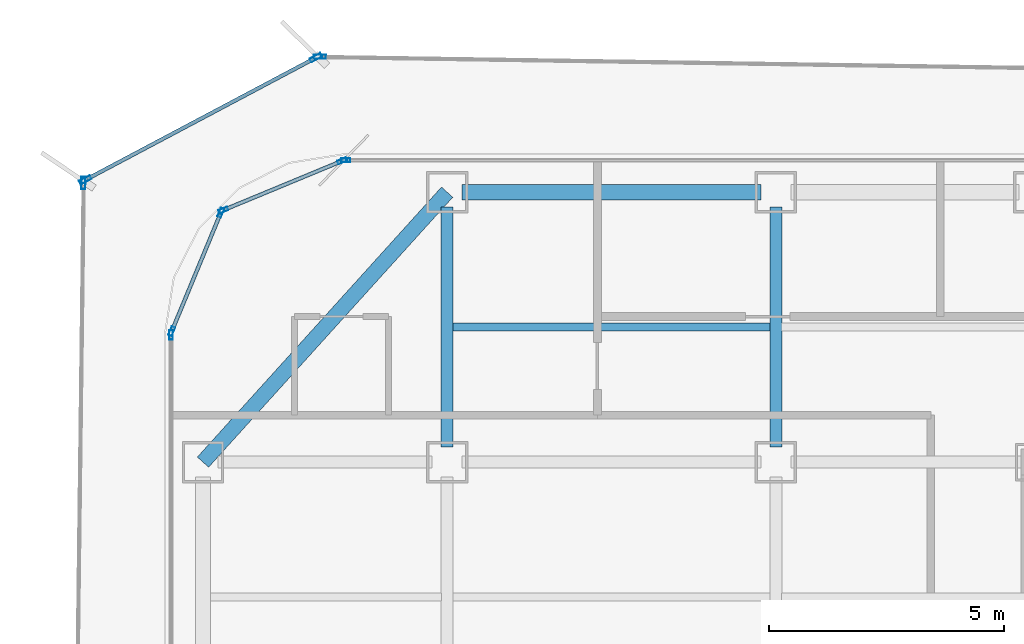
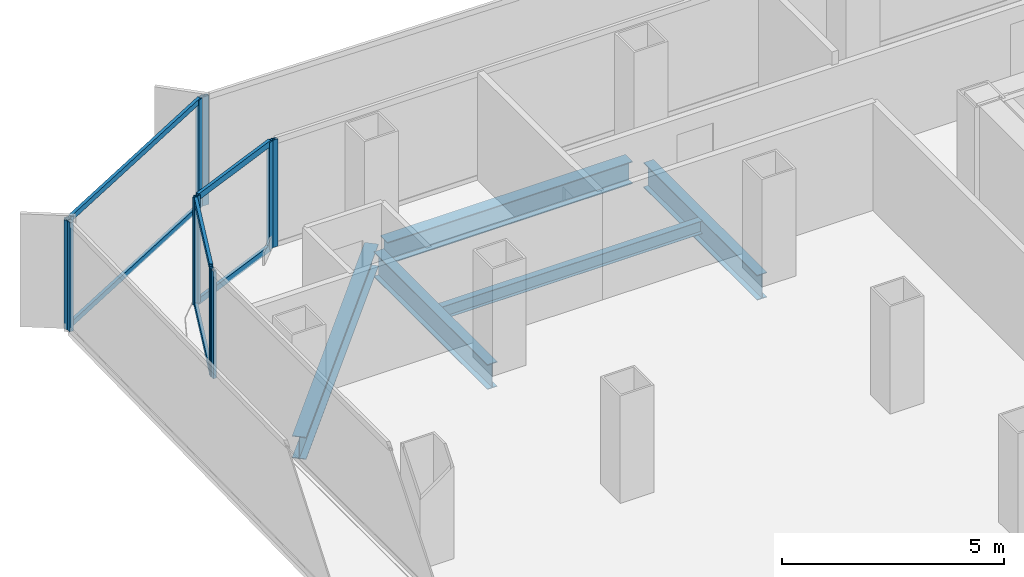
# One storey, part 10 of 21: 16 members, 5 beams, 7 elements without a shape of their own.
"""IFC4 building model written with IfcOpenShell, lengths in metres."""

from ifc_helpers import new_model, si_unit, direction, frame, origin, origin_2d, place, context, subcontext, project, spatial, hollow_rectangle, i_section, extrude, source, transform, mapped, material, layer, layer_set, material_profile, profile_set, type_object, element, aggregate, save


model = new_model("IFC4")

# Units and contexts
model_context = context("Model", 3, precision=1e-05, world=origin(), true_north=direction((0.0, 1.0)))
body_context = subcontext(model_context, "Body", "Model", "MODEL_VIEW")
ifc_project = project(units=[si_unit("LENGTHUNIT", "METRE"), si_unit("AREAUNIT", "SQUARE_METRE"), si_unit("VOLUMEUNIT", "CUBIC_METRE"), si_unit("PLANEANGLEUNIT", "RADIAN"), si_unit("MASSUNIT", "GRAM", prefix="KILO")], contexts=[model_context])

# Site, building, storey
site_placement = place(None, origin())
site = spatial("IfcSite", under=ifc_project, at=site_placement, CompositionType="ELEMENT")
building_placement = place(site_placement, origin())
building = spatial("IfcBuilding", under=site, at=building_placement, Name="Kolveth Station Tower", CompositionType="ELEMENT")
storey_placement = place(building_placement, frame((0.0, 0.0, 99.10009765625)))
storey = spatial("IfcBuildingStorey", under=building, at=storey_placement, Name="L26", CompositionType="ELEMENT", Elevation=99.10009765625)

# Beams
ifc_material_1 = material(Name="Steel S355", Category="steel")
ifc_material_profile_1 = material_profile(ifc_material_1, i_section(OverallWidth=0.323974609375, OverallDepth=0.611083984375, WebThickness=0.0126953125, FlangeThickness=0.01904296875, at=origin_2d()), Name="W610x155")
ifc_profile_set_1 = profile_set([ifc_material_profile_1], Name="Steel S355")
beam_type_1 = type_object("IfcBeamType", Name="Beam_SP2", PredefinedType="SPANDREL", material=ifc_profile_set_1)
shared_shape_1 = source(origin(), body_context, "Body", "SweptSolid", [
    extrude(i_section(OverallWidth=0.323974609375, OverallDepth=0.611083984375, WebThickness=0.0126953125, FlangeThickness=0.01904296875, at=origin_2d()), origin(), (0.0, 0.0, 1.0), 6.35986328125),
])
beam_1_placement = place(storey_placement, frame((6.320068359375, 34.5, -0.5556640625), z_axis=(1.0, 0.0, 0.0), x_axis=(0.0, 1.0, 0.0)))
element("IfcBeam", 1, at=beam_1_placement, inside=storey, type_object=beam_type_1, Name="L26 Perimeter Spandrel BM-L26-PN-1", PredefinedType="SPANDREL", context=body_context, shape_type="MappedRepresentation", body=[
    mapped(shared_shape_1, transform((0.0, 0.0, 0.0), x_axis=(1.0, 0.0, 0.0), y_axis=(0.0, 1.0, 0.0), z_axis=(0.0, 0.0, 1.0), scale=1.0)),
])
shared_shape_2 = source(origin(), body_context, "Body", "SweptSolid", [
    extrude(i_section(OverallWidth=0.323974609375, OverallDepth=0.611083984375, WebThickness=0.0126953125, FlangeThickness=0.01904296875, at=origin_2d()), origin(), (0.0, 0.0, 1.0), 7.75244140625),
])
beam_2_placement = place(storey_placement, frame((6.0, 34.5, -0.5556640625), z_axis=(-0.670740965555, -0.74169168603, 0.0), x_axis=(0.74169168603, -0.670740965555, 0.0)))
element("IfcBeam", 2, at=beam_2_placement, inside=storey, type_object=beam_type_1, Name="L26 Corner Edge Girder BM-L26-CNR-NW", PredefinedType="SPANDREL", context=body_context, shape_type="MappedRepresentation", body=[
    mapped(shared_shape_2, transform((0.0, 0.0, 0.0), x_axis=(1.0, 0.0, 0.0), y_axis=(0.0, 1.0, 0.0), z_axis=(0.0, 0.0, 1.0), scale=1.0)),
])
ifc_material_profile_2 = material_profile(ifc_material_1, i_section(OverallWidth=0.25390625, OverallDepth=0.68798828125, WebThickness=0.01318359375, FlangeThickness=0.02099609375, at=origin_2d()), Name="W690x152")
ifc_profile_set_2 = profile_set([ifc_material_profile_2], Name="Steel S355")
beam_type_2 = type_object("IfcBeamType", Name="Beam_B4", PredefinedType="BEAM", material=ifc_profile_set_2)
shared_shape_3 = source(origin(), body_context, "Body", "SweptSolid", [
    extrude(i_section(OverallWidth=0.25390625, OverallDepth=0.68798828125, WebThickness=0.01318359375, FlangeThickness=0.02099609375, at=origin_2d()), origin(), (0.0, 0.0, 1.0), 5.10986328125),
])
for number, where, z_axis, x_axis, name in (
    (3, (6.0, 29.070068359375, -0.593994140625), (0.0, 1.0, 0.0), (-1.0, 0.0, 0.0), "L26 Primary Girder BM-L26-GX60-6"),
    (4, (13.0, 29.070068359375, -0.593994140625), (0.0, 1.0, 0.0), (-1.0, 0.0, 0.0), "L26 Primary Girder BM-L26-GX130-6"),
):
    element("IfcBeam", number, at=place(storey_placement, frame(where, z_axis=z_axis, x_axis=x_axis)), inside=storey, type_object=beam_type_2, Name=name, PredefinedType="BEAM", context=body_context, shape_type="MappedRepresentation", body=[
        mapped(shared_shape_3, transform((0.0, 0.0, 0.0), x_axis=(1.0, 0.0, 0.0), y_axis=(0.0, 1.0, 0.0), z_axis=(0.0, 0.0, 1.0), scale=1.0)),
    ])
ifc_material_profile_3 = material_profile(ifc_material_1, i_section(OverallWidth=0.1708984375, OverallDepth=0.35205078125, WebThickness=0.0068359375, FlangeThickness=0.009765625, at=origin_2d()), Name="W360x44")
ifc_profile_set_3 = profile_set([ifc_material_profile_3], Name="Steel S355")
beam_type_3 = type_object("IfcBeamType", Name="Beam_J2", PredefinedType="JOIST", material=ifc_profile_set_3)
shared_shape_4 = source(origin(), body_context, "Body", "SweptSolid", [
    extrude(i_section(OverallWidth=0.1708984375, OverallDepth=0.35205078125, WebThickness=0.0068359375, FlangeThickness=0.009765625, at=origin_2d()), origin(), (0.0, 0.0, 1.0), 6.75),
])
beam_3_placement = place(storey_placement, frame((6.125, 31.625, -0.426025390625), z_axis=(1.0, 0.0, 0.0), x_axis=(0.0, 1.0, 0.0)))
element("IfcBeam", 5, at=beam_3_placement, inside=storey, type_object=beam_type_3, Name="L26 Secondary Joist JST-L26-2-6", PredefinedType="JOIST", context=body_context, shape_type="MappedRepresentation", body=[
    mapped(shared_shape_4, transform((0.0, 0.0, 0.0), x_axis=(1.0, 0.0, 0.0), y_axis=(0.0, 1.0, 0.0), z_axis=(0.0, 0.0, 1.0), scale=1.0)),
])

# Curtain wall, member
ifc_material_2 = material(Name="Aluminium 6063-T6 and low-E dark glass", Category="aluminium")
ifc_layer_1 = layer(ifc_material_2, 0.18994140625)
ifc_layer_set_1 = layer_set([ifc_layer_1], Name="Aluminium 6063-T6 and low-E dark glass")
curtain_wall_type_1 = type_object("IfcCurtainWallType", Name="CurtainWall_CW-Z2", PredefinedType="NOTDEFINED", material=ifc_layer_set_1)
curtain_wall_1_placement = place(storey_placement, origin())
curtain_wall_1 = element("IfcCurtainWall", 6, at=curtain_wall_1_placement, inside=storey, type_object=curtain_wall_type_1, Name="L26 Inner Thermal Curtain Wall 6", PredefinedType="NOTDEFINED")
ifc_material_3 = material(Name="Black anodized aluminium 6063-T6", Category="aluminium")
ifc_material_profile_4 = material_profile(ifc_material_3, hollow_rectangle(XDim=0.080078125, YDim=0.199951171875, WallThickness=0.0048828125, at=origin_2d()), Name="ALU-80x200x5")
ifc_profile_set_4 = profile_set([ifc_material_profile_4], Name="Black anodized aluminium 6063-T6")
member_type_1 = type_object("IfcMemberType", Name="Mullion_ML2", PredefinedType="MULLION", material=ifc_profile_set_4)
shared_shape_5 = source(origin(), body_context, "Body", "SweptSolid", [
    extrude(hollow_rectangle(XDim=0.080078125, YDim=0.199951171875, WallThickness=0.0048828125, at=origin_2d()), origin(), (0.0, 0.0, 1.0), 2.949951171875),
])
member_1_placement = place(storey_placement, frame((3.840087890625, 35.179931640625, 0.0), z_axis=(0.0, 0.0, 1.0), x_axis=(0.0, -1.0, 0.0)))
member_1 = element("IfcMember", 7, at=member_1_placement, type_object=member_type_1, Name="CW-Z2 mullion 3", PredefinedType="MULLION", context=body_context, shape_type="MappedRepresentation", body=[
    mapped(shared_shape_5, transform((0.0, 0.0, 0.0), x_axis=(1.0, 0.0, 0.0), y_axis=(0.0, 1.0, 0.0), z_axis=(0.0, 0.0, 1.0), scale=1.0)),
])
aggregate(curtain_wall_1, [member_1])

# Curtain wall, members
curtain_wall_2_placement = place(storey_placement, origin())
curtain_wall_2 = element("IfcCurtainWall", 8, at=curtain_wall_2_placement, inside=storey, type_object=curtain_wall_type_1, Name="L26 Inner Thermal Curtain Wall 7", PredefinedType="NOTDEFINED")
member_2_placement = place(storey_placement, frame((3.762939453125, 35.164794921875, 0.0), z_axis=(0.0, 0.0, 1.0), x_axis=(0.38266326998, -0.923887883787, 0.0)))
member_2 = element("IfcMember", 9, at=member_2_placement, type_object=member_type_1, Name="CW-Z2 mullion 1", PredefinedType="MULLION", context=body_context, shape_type="MappedRepresentation", body=[
    mapped(shared_shape_5, transform((0.0, 0.0, 0.0), x_axis=(1.0, 0.0, 0.0), y_axis=(0.0, 1.0, 0.0), z_axis=(0.0, 0.0, 1.0), scale=1.0)),
])
member_3_placement = place(storey_placement, frame((1.23486328125, 34.117431640625, 0.0), z_axis=(0.0, 0.0, 1.0), x_axis=(0.38266326998, -0.923887883787, 0.0)))
member_3 = element("IfcMember", 10, at=member_3_placement, type_object=member_type_1, Name="CW-Z2 mullion 2", PredefinedType="MULLION", context=body_context, shape_type="MappedRepresentation", body=[
    mapped(shared_shape_5, transform((0.0, 0.0, 0.0), x_axis=(1.0, 0.0, 0.0), y_axis=(0.0, 1.0, 0.0), z_axis=(0.0, 0.0, 1.0), scale=1.0)),
])

curtain_wall_3_placement = place(storey_placement, origin())
curtain_wall_3 = element("IfcCurtainWall", 11, at=curtain_wall_3_placement, inside=storey, type_object=curtain_wall_type_1, Name="L26 Inner Thermal Curtain Wall 8", PredefinedType="NOTDEFINED")
member_4_placement = place(storey_placement, frame((1.182373046875, 34.065185546875, 0.0), z_axis=(0.0, 0.0, 1.0), x_axis=(0.923887883787, -0.38266326998, 0.0)))
member_4 = element("IfcMember", 12, at=member_4_placement, type_object=member_type_1, Name="CW-Z2 mullion 1", PredefinedType="MULLION", context=body_context, shape_type="MappedRepresentation", body=[
    mapped(shared_shape_5, transform((0.0, 0.0, 0.0), x_axis=(1.0, 0.0, 0.0), y_axis=(0.0, 1.0, 0.0), z_axis=(0.0, 0.0, 1.0), scale=1.0)),
])
member_5_placement = place(storey_placement, frame((0.13525390625, 31.536865234375, 0.0), z_axis=(0.0, 0.0, 1.0), x_axis=(0.923887883787, -0.38266326998, 0.0)))
member_5 = element("IfcMember", 13, at=member_5_placement, type_object=member_type_1, Name="CW-Z2 mullion 2", PredefinedType="MULLION", context=body_context, shape_type="MappedRepresentation", body=[
    mapped(shared_shape_5, transform((0.0, 0.0, 0.0), x_axis=(1.0, 0.0, 0.0), y_axis=(0.0, 1.0, 0.0), z_axis=(0.0, 0.0, 1.0), scale=1.0)),
])

# Curtain wall, member
curtain_wall_4_placement = place(storey_placement, origin())
curtain_wall_4 = element("IfcCurtainWall", 14, at=curtain_wall_4_placement, inside=storey, type_object=curtain_wall_type_1, Name="L26 Inner Thermal Curtain Wall 9", PredefinedType="NOTDEFINED")
member_6_placement = place(storey_placement, frame((0.1201171875, 31.4599609375, 0.0), z_axis=(0.0, 0.0, 1.0), x_axis=(1.0, 0.0, 0.0)))
member_6 = element("IfcMember", 15, at=member_6_placement, type_object=member_type_1, Name="CW-Z2 mullion 1", PredefinedType="MULLION", context=body_context, shape_type="MappedRepresentation", body=[
    mapped(shared_shape_5, transform((0.0, 0.0, 0.0), x_axis=(1.0, 0.0, 0.0), y_axis=(0.0, 1.0, 0.0), z_axis=(0.0, 0.0, 1.0), scale=1.0)),
])
aggregate(curtain_wall_4, [member_6])

# Member
ifc_material_profile_5 = material_profile(ifc_material_3, hollow_rectangle(XDim=0.080078125, YDim=0.169921875, WallThickness=0.0048828125, at=origin_2d()), Name="ALU-80x170x5")
ifc_profile_set_5 = profile_set([ifc_material_profile_5], Name="Black anodized aluminium 6063-T6")
member_type_2 = type_object("IfcMemberType", Name="Transom_TR2", PredefinedType="USERDEFINED", material=ifc_profile_set_5)
shared_shape_6 = source(origin(), body_context, "Body", "SweptSolid", [
    extrude(hollow_rectangle(XDim=0.080078125, YDim=0.169921875, WallThickness=0.0048828125, at=origin_2d()), origin(), (0.0, 0.0, 1.0), 2.656494140625),
])
member_7_placement = place(storey_placement, frame((3.72607421875, 35.1494140625, 0.039794921875), z_axis=(-0.923882422403, -0.382676455475, 0.0), x_axis=(0.382676455475, -0.923882422403, 0.0)))
member_7 = element("IfcMember", 16, at=member_7_placement, type_object=member_type_2, Name="CW-Z2 transom 1.1", ObjectType="TRANSOM", PredefinedType="USERDEFINED", context=body_context, shape_type="MappedRepresentation", body=[
    mapped(shared_shape_6, transform((0.0, 0.0, 0.0), x_axis=(1.0, 0.0, 0.0), y_axis=(0.0, 1.0, 0.0), z_axis=(0.0, 0.0, 1.0), scale=1.0)),
])

member_8_placement = place(storey_placement, frame((3.72607421875, 35.1494140625, 2.909912109375), z_axis=(-0.923882422403, -0.382676455475, 0.0), x_axis=(0.382676455475, -0.923882422403, 0.0)))
member_8 = element("IfcMember", 17, at=member_8_placement, type_object=member_type_2, Name="CW-Z2 transom 1.2", ObjectType="TRANSOM", PredefinedType="USERDEFINED", context=body_context, shape_type="MappedRepresentation", body=[
    mapped(shared_shape_6, transform((0.0, 0.0, 0.0), x_axis=(1.0, 0.0, 0.0), y_axis=(0.0, 1.0, 0.0), z_axis=(0.0, 0.0, 1.0), scale=1.0)),
])

aggregate(curtain_wall_2, [member_2, member_3, member_7, member_8])

member_9_placement = place(storey_placement, frame((1.167236328125, 34.0283203125, 0.039794921875), z_axis=(-0.382676455475, -0.923882422403, 0.0), x_axis=(0.923882422403, -0.382676455475, 0.0)))
member_9 = element("IfcMember", 18, at=member_9_placement, type_object=member_type_2, Name="CW-Z2 transom 1.1", ObjectType="TRANSOM", PredefinedType="USERDEFINED", context=body_context, shape_type="MappedRepresentation", body=[
    mapped(shared_shape_6, transform((0.0, 0.0, 0.0), x_axis=(1.0, 0.0, 0.0), y_axis=(0.0, 1.0, 0.0), z_axis=(0.0, 0.0, 1.0), scale=1.0)),
])

member_10_placement = place(storey_placement, frame((1.167236328125, 34.0283203125, 2.909912109375), z_axis=(-0.382676455475, -0.923882422403, 0.0), x_axis=(0.923882422403, -0.382676455475, 0.0)))
member_10 = element("IfcMember", 19, at=member_10_placement, type_object=member_type_2, Name="CW-Z2 transom 1.2", ObjectType="TRANSOM", PredefinedType="USERDEFINED", context=body_context, shape_type="MappedRepresentation", body=[
    mapped(shared_shape_6, transform((0.0, 0.0, 0.0), x_axis=(1.0, 0.0, 0.0), y_axis=(0.0, 1.0, 0.0), z_axis=(0.0, 0.0, 1.0), scale=1.0)),
])

aggregate(curtain_wall_3, [member_4, member_5, member_9, member_10])

# Curtain wall, member
ifc_material_4 = material(Name="Black anodized aluminium 6063-T6 and dark solar glass", Category="aluminium")
ifc_layer_2 = layer(ifc_material_4, 0.159912109375)
ifc_layer_set_2 = layer_set([ifc_layer_2], Name="Black anodized aluminium 6063-T6 and dark solar glass")
curtain_wall_type_2 = type_object("IfcCurtainWallType", Name="OUTER SKIN CW-OS", PredefinedType="NOTDEFINED", material=ifc_layer_set_2)
curtain_wall_5_placement = place(storey_placement, origin())
curtain_wall_5 = element("IfcCurtainWall", 20, at=curtain_wall_5_placement, inside=storey, type_object=curtain_wall_type_2, Name="L26 Outer Ventilated Skin Curtain Wall 4", PredefinedType="NOTDEFINED")
ifc_material_profile_6 = material_profile(ifc_material_3, hollow_rectangle(XDim=0.090087890625, YDim=0.260009765625, WallThickness=0.0048828125, at=origin_2d()), Name="ALU-90x260x5")
ifc_profile_set_6 = profile_set([ifc_material_profile_6], Name="Black anodized aluminium 6063-T6")
member_type_3 = type_object("IfcMemberType", Name="FIN MULLION ML-OS", PredefinedType="MULLION", material=ifc_profile_set_6)
shared_shape_7 = source(origin(), body_context, "Body", "SweptSolid", [
    extrude(hollow_rectangle(XDim=0.090087890625, YDim=0.260009765625, WallThickness=0.0048828125, at=origin_2d()), origin(), (0.0, 0.0, 1.0), 2.989990234375),
])
member_11_placement = place(storey_placement, frame((3.28955078125, 37.383544921875, 0.0), z_axis=(0.0, 0.0, 1.0), x_axis=(-0.015435867597, -0.999880859899, 0.0)))
member_11 = element("IfcMember", 21, at=member_11_placement, type_object=member_type_3, Name="CW-OS mullion 2", PredefinedType="MULLION", context=body_context, shape_type="MappedRepresentation", body=[
    mapped(shared_shape_7, transform((0.0, 0.0, 0.0), x_axis=(1.0, 0.0, 0.0), y_axis=(0.0, 1.0, 0.0), z_axis=(0.0, 0.0, 1.0), scale=1.0)),
])
aggregate(curtain_wall_5, [member_11])

# Curtain wall, members
curtain_wall_6_placement = place(storey_placement, origin())
curtain_wall_6 = element("IfcCurtainWall", 22, at=curtain_wall_6_placement, inside=storey, type_object=curtain_wall_type_2, Name="L26 Outer Ventilated Skin Curtain Wall 5", PredefinedType="NOTDEFINED")
member_12_placement = place(storey_placement, frame((3.204833984375, 37.36328125, 0.0), z_axis=(0.0, 0.0, 1.0), x_axis=(0.468382234988, -0.883525937337, 0.0)))
member_12 = element("IfcMember", 23, at=member_12_placement, type_object=member_type_3, Name="CW-OS mullion 1", PredefinedType="MULLION", context=body_context, shape_type="MappedRepresentation", body=[
    mapped(shared_shape_7, transform((0.0, 0.0, 0.0), x_axis=(1.0, 0.0, 0.0), y_axis=(0.0, 1.0, 0.0), z_axis=(0.0, 0.0, 1.0), scale=1.0)),
])
member_13_placement = place(storey_placement, frame((-1.7060546875, 34.759765625, 0.0), z_axis=(0.0, 0.0, 1.0), x_axis=(0.468382234988, -0.883525937337, 0.0)))
member_13 = element("IfcMember", 24, at=member_13_placement, type_object=member_type_3, Name="CW-OS mullion 2", PredefinedType="MULLION", context=body_context, shape_type="MappedRepresentation", body=[
    mapped(shared_shape_7, transform((0.0, 0.0, 0.0), x_axis=(1.0, 0.0, 0.0), y_axis=(0.0, 1.0, 0.0), z_axis=(0.0, 0.0, 1.0), scale=1.0)),
])

# Curtain wall, member
curtain_wall_7_placement = place(storey_placement, origin())
curtain_wall_7 = element("IfcCurtainWall", 25, at=curtain_wall_7_placement, inside=storey, type_object=curtain_wall_type_2, Name="L26 Outer Ventilated Skin Curtain Wall 6", PredefinedType="NOTDEFINED")
member_14_placement = place(storey_placement, frame((-1.746337890625, 34.69384765625, 0.0), z_axis=(0.0, 0.0, 1.0), x_axis=(0.999922616527, -0.012440295721, 0.0)))
member_14 = element("IfcMember", 26, at=member_14_placement, type_object=member_type_3, Name="CW-OS mullion 1", PredefinedType="MULLION", context=body_context, shape_type="MappedRepresentation", body=[
    mapped(shared_shape_7, transform((0.0, 0.0, 0.0), x_axis=(1.0, 0.0, 0.0), y_axis=(0.0, 1.0, 0.0), z_axis=(0.0, 0.0, 1.0), scale=1.0)),
])
aggregate(curtain_wall_7, [member_14])

# Member
ifc_material_profile_7 = material_profile(ifc_material_3, hollow_rectangle(XDim=0.080078125, YDim=0.14990234375, WallThickness=0.0048828125, at=origin_2d()), Name="ALU-80x150x5")
ifc_profile_set_7 = profile_set([ifc_material_profile_7], Name="Black anodized aluminium 6063-T6")
member_type_4 = type_object("IfcMemberType", Name="Transom_TR-OS", PredefinedType="USERDEFINED", material=ifc_profile_set_7)
shared_shape_8 = source(origin(), body_context, "Body", "SweptSolid", [
    extrude(hollow_rectangle(XDim=0.080078125, YDim=0.14990234375, WallThickness=0.0048828125, at=origin_2d()), origin(), (0.0, 0.0, 1.0), 5.468017578125),
])
member_15_placement = place(storey_placement, frame((3.1650390625, 37.342041015625, 0.039794921875), z_axis=(-0.88353909012, -0.468357423587, 0.0), x_axis=(0.468357423587, -0.88353909012, 0.0)))
member_15 = element("IfcMember", 27, at=member_15_placement, type_object=member_type_4, Name="CW-OS transom 1.1", ObjectType="TRANSOM", PredefinedType="USERDEFINED", context=body_context, shape_type="MappedRepresentation", body=[
    mapped(shared_shape_8, transform((0.0, 0.0, 0.0), x_axis=(1.0, 0.0, 0.0), y_axis=(0.0, 1.0, 0.0), z_axis=(0.0, 0.0, 1.0), scale=1.0)),
])

member_16_placement = place(storey_placement, frame((3.1650390625, 37.342041015625, 2.949951171875), z_axis=(-0.88353909012, -0.468357423587, 0.0), x_axis=(0.468357423587, -0.88353909012, 0.0)))
member_16 = element("IfcMember", 28, at=member_16_placement, type_object=member_type_4, Name="CW-OS transom 1.2", ObjectType="TRANSOM", PredefinedType="USERDEFINED", context=body_context, shape_type="MappedRepresentation", body=[
    mapped(shared_shape_8, transform((0.0, 0.0, 0.0), x_axis=(1.0, 0.0, 0.0), y_axis=(0.0, 1.0, 0.0), z_axis=(0.0, 0.0, 1.0), scale=1.0)),
])

aggregate(curtain_wall_6, [member_12, member_13, member_15, member_16])

save(model, "model.ifc")
